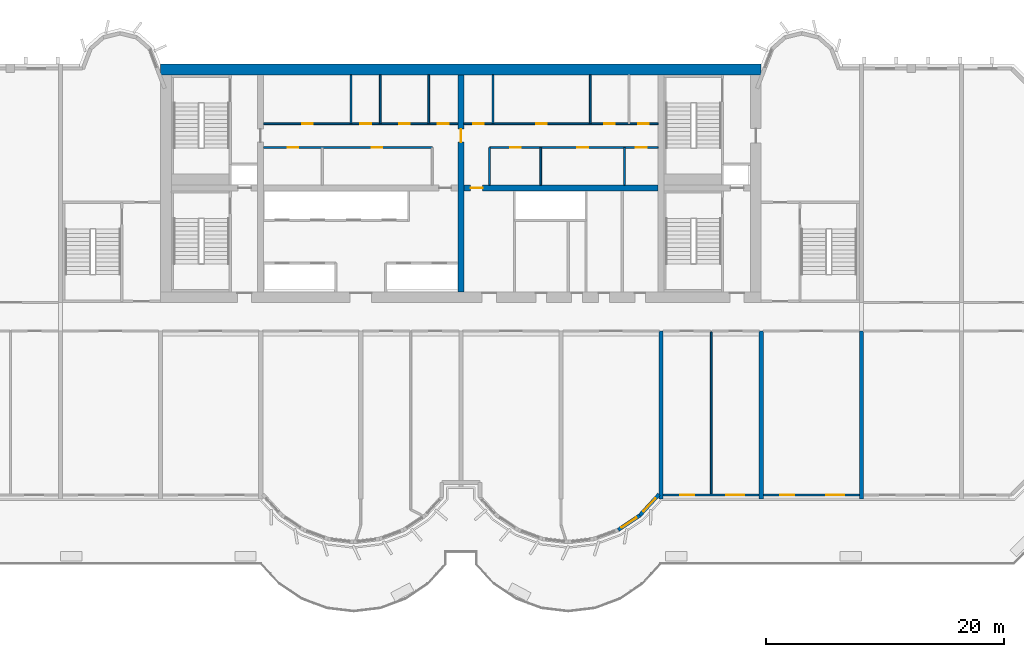
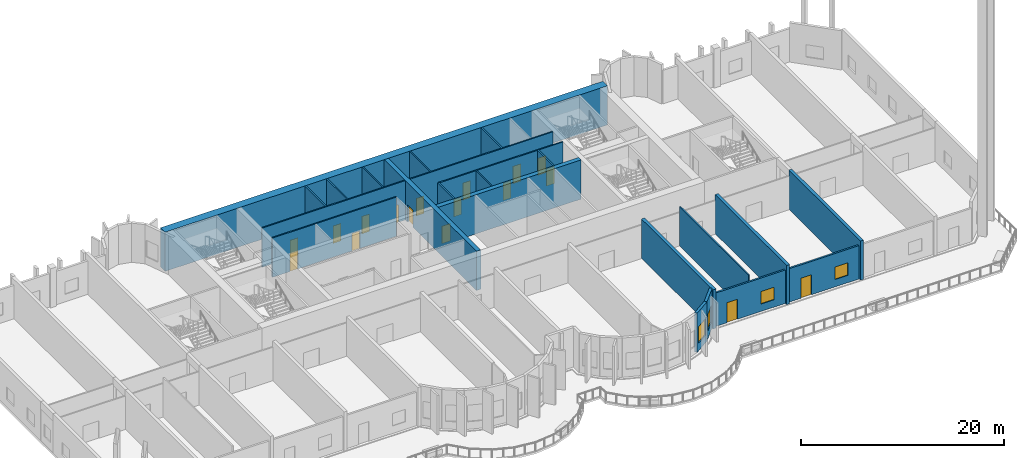
# One storey, part 6 of 13: 23 walls, 17 doors, 4 windows, 21 openings.
"""IFC4 building model written with IfcOpenShell, lengths in metres."""

from ifc_helpers import new_model, si_unit, direction, frame, frame_2d, origin, place, context, subcontext, project, spatial, rectangle, extrude, source, transform, mapped, material, layer, layer_set, type_object, element, fill, save


model = new_model("IFC4")

# Units and contexts
model_context = context("Model", 3, precision=1e-05, world=origin(), true_north=direction((0.0, 1.0)))
body_context = subcontext(model_context, "Body", "Model", "MODEL_VIEW")
ifc_project = project(units=[si_unit("LENGTHUNIT", "METRE"), si_unit("AREAUNIT", "SQUARE_METRE"), si_unit("VOLUMEUNIT", "CUBIC_METRE"), si_unit("PLANEANGLEUNIT", "RADIAN"), si_unit("MASSUNIT", "GRAM", prefix="KILO")], contexts=[model_context])

# Site, building, storey
site_placement = place(None, origin())
site = spatial("IfcSite", under=ifc_project, at=site_placement, CompositionType="ELEMENT")
building_placement = place(site_placement, origin())
building = spatial("IfcBuilding", under=site, at=building_placement, Name="Vanashikhar Sky Hotel", CompositionType="ELEMENT")
storey_placement = place(building_placement, frame((0.0, 0.0, 86.39990234375)))
storey = spatial("IfcBuildingStorey", under=building, at=storey_placement, Name="L20", CompositionType="ELEMENT", Elevation=86.39990234375)

# Wall
ifc_material_1 = material(Name="Concrete M70", Category="concrete")
ifc_layer_1 = layer(ifc_material_1, 0.89990234375)
ifc_layer_set_1 = layer_set([ifc_layer_1], Name="RC core shell wall 900 Concrete M70")
wall_type_1 = type_object("IfcWallType", Name="RC core shell wall 900 Concrete M70", PredefinedType="SHEAR", material=ifc_layer_set_1)
shared_shape_1 = source(origin(), body_context, "Body", "SweptSolid", [
    extrude(rectangle(XDim=50.400146484375, YDim=0.89990234375, at=frame_2d((25.2001953125, 0.0))), origin(), (0.0, 0.0, 1.0), 4.72021484375),
])
wall_1_placement = place(storey_placement, frame((25.199951171875, 41.550048828125, 0.0), z_axis=(0.0, 0.0, 1.0), x_axis=(1.0, 0.0, 0.0)))
element("IfcWall", 1, at=wall_1_placement, inside=storey, type_object=wall_type_1, Name="KW-L20-KN", PredefinedType="SHEAR", context=body_context, shape_type="MappedRepresentation", body=[
    mapped(shared_shape_1, transform((0.0, 0.0, 0.0), scale=1.0)),
])

# Wall, opening, door
ifc_layer_2 = layer(ifc_material_1, 0.5)
ifc_layer_set_2 = layer_set([ifc_layer_2], Name="RC core inner wall 500 Concrete M70")
wall_type_2 = type_object("IfcWallType", Name="RC core inner wall 500 Concrete M70", PredefinedType="SHEAR", material=ifc_layer_set_2)
shared_shape_2 = source(origin(), body_context, "Body", "SweptSolid", [
    extrude(rectangle(XDim=18.2001953125, YDim=0.5, at=frame_2d((9.10009765625, 0.0))), origin(), (0.0, 0.0, 1.0), 4.72021484375),
])
wall_2_placement = place(storey_placement, frame((50.39990234375, 22.89990234375, 0.0), z_axis=(0.0, 0.0, 1.0), x_axis=(0.0, 1.0, 0.0)))
wall_2 = element("IfcWall", 2, at=wall_2_placement, inside=storey, type_object=wall_type_2, Name="KW-L20-KX2", PredefinedType="SHEAR", context=body_context, shape_type="MappedRepresentation", body=[
    mapped(shared_shape_2, transform((0.0, 0.0, 0.0), scale=1.0)),
])
shared_shape_3 = source(origin(), body_context, "Body", "SweptSolid", [
    extrude(rectangle(XDim=1.10009765625, YDim=2.10009765625, at=frame_2d((0.550048828125, 1.050048828125))), frame((0.0, 0.260009765625, 0.0), z_axis=(0.0, -1.0, 0.0), x_axis=(1.0, 0.0, 0.0)), (0.0, 0.0, 1.0), 0.52001953125),
])
opening_1_placement = place(wall_2_placement, frame((12.550048828125, 0.0, 0.0)))
opening_1 = element("IfcOpeningElement", 3, at=opening_1_placement, cuts=wall_2, Name="Opening DC-4-C", PredefinedType="OPENING", context=body_context, shape_type="MappedRepresentation", body=[
    mapped(shared_shape_3, transform((0.0, 0.0, 0.0), scale=1.0)),
])
ifc_material_2 = material(Name="Steel", Category="steel")
door_type_1 = type_object("IfcDoorType", Name="Service door 1100 FD60", OperationType="NOTDEFINED", PredefinedType="DOOR", material=ifc_material_2)
shared_shape_4 = source(origin(), body_context, "Body", "SweptSolid", [
    extrude(rectangle(XDim=1.10009765625, YDim=2.10009765625, at=frame_2d((0.550048828125, 1.050048828125))), frame((0.0, 0.02490234375, 0.0), z_axis=(0.0, -1.0, 0.0), x_axis=(1.0, 0.0, 0.0)), (0.0, 0.0, 1.0), 0.050048828125),
])
door_1_placement = place(opening_1_placement, origin())
door_1 = element("IfcDoor", 4, at=door_1_placement, inside=storey, type_object=door_type_1, Name="Service door 1100 FD60", OperationType="SINGLE_SWING_RIGHT", OverallHeight=2.10009765625, OverallWidth=1.10009765625, PredefinedType="DOOR", context=body_context, shape_type="MappedRepresentation", body=[
    mapped(shared_shape_4, transform((0.0, 0.0, 0.0), scale=1.0)),
])
fill(opening_1, door_1)

shared_shape_5 = source(origin(), body_context, "Body", "SweptSolid", [
    extrude(rectangle(XDim=16.300048828125, YDim=0.5, at=frame_2d((8.14990234375, 0.0))), origin(), (0.0, 0.0, 1.0), 4.72021484375),
])
wall_3_placement = place(storey_placement, frame((50.64990234375, 31.60009765625, 0.0), z_axis=(0.0, 0.0, 1.0), x_axis=(1.0, 0.0, 0.0)))
wall_3 = element("IfcWall", 5, at=wall_3_placement, inside=storey, type_object=wall_type_2, Name="KW-L20-KY3", PredefinedType="SHEAR", context=body_context, shape_type="MappedRepresentation", body=[
    mapped(shared_shape_5, transform((0.0, 0.0, 0.0), scale=1.0)),
])
shared_shape_6 = source(origin(), body_context, "Body", "SweptSolid", [
    extrude(rectangle(XDim=1.0, YDim=2.10009765625, at=frame_2d((0.5, 1.050048828125))), frame((0.0, 0.260009765625, 0.0), z_axis=(0.0, -1.0, 0.0), x_axis=(1.0, 0.0, 0.0)), (0.0, 0.0, 1.0), 0.52001953125),
])
opening_2_placement = place(wall_3_placement, frame((0.574951171875, 0.0, 0.0)))
opening_2 = element("IfcOpeningElement", 6, at=opening_2_placement, cuts=wall_3, Name="Opening DC-4", PredefinedType="OPENING", context=body_context, shape_type="MappedRepresentation", body=[
    mapped(shared_shape_6, transform((0.0, 0.0, 0.0), scale=1.0)),
])
door_type_2 = type_object("IfcDoorType", Name="Service door 1000 FD60", OperationType="NOTDEFINED", PredefinedType="DOOR", material=ifc_material_2)
shared_shape_7 = source(origin(), body_context, "Body", "SweptSolid", [
    extrude(rectangle(XDim=1.0, YDim=2.10009765625, at=frame_2d((0.5, 1.050048828125))), frame((0.0, 0.02490234375, 0.0), z_axis=(0.0, -1.0, 0.0), x_axis=(1.0, 0.0, 0.0)), (0.0, 0.0, 1.0), 0.050048828125),
])
door_2_placement = place(opening_2_placement, origin())
door_2 = element("IfcDoor", 7, at=door_2_placement, inside=storey, type_object=door_type_2, Name="Service door 1000 FD60", OperationType="SINGLE_SWING_LEFT", OverallHeight=2.10009765625, OverallWidth=1.0, PredefinedType="DOOR", context=body_context, shape_type="MappedRepresentation", body=[
    mapped(shared_shape_7, transform((0.0, 0.0, 0.0), scale=1.0)),
])
fill(opening_2, door_2)

# Walls
ifc_layer_3 = layer(ifc_material_1, 0.35009765625)
ifc_layer_set_3 = layer_set([ifc_layer_3], Name="RC shear wall 350 Concrete M70")
wall_type_3 = type_object("IfcWallType", Name="RC shear wall 350 Concrete M70", PredefinedType="SHEAR", material=ifc_layer_set_3)
shared_shape_8 = source(origin(), body_context, "Body", "SweptSolid", [
    extrude(rectangle(XDim=14.10009765625, YDim=0.35009765625, at=frame_2d((7.050048828125, 0.0))), origin(), (0.0, 0.0, 1.0), 4.72021484375),
])
for number, where, z_axis, x_axis, name in (
    (8, (67.199951171875, 5.5, 0.0), (0.0, 0.0, 1.0), (0.0, 1.0, 0.0), "CW-L20-XW09-1"),
    (9, (75.60009765625, 5.5, 0.0), (0.0, 0.0, 1.0), (0.0, 1.0, 0.0), "CW-L20-XW10-1"),
    (10, (84.0, 5.5, 0.0), (0.0, 0.0, 1.0), (0.0, 1.0, 0.0), "CW-L20-XW11-1"),
):
    element("IfcWall", number, at=place(storey_placement, frame(where, z_axis=z_axis, x_axis=x_axis)), inside=storey, type_object=wall_type_3, Name=name, PredefinedType="SHEAR", context=body_context, shape_type="MappedRepresentation", body=[
        mapped(shared_shape_8, transform((0.0, 0.0, 0.0), scale=1.0)),
    ])

# Wall, openings, window, door
ifc_material_3 = material(Name="Concrete M50", Category="concrete")
ifc_layer_4 = layer(ifc_material_3, 0.199951171875)
ifc_layer_set_4 = layer_set([ifc_layer_4], Name="Front window wall 200")
wall_type_4 = type_object("IfcWallType", Name="Front window wall 200", PredefinedType="SOLIDWALL", material=ifc_layer_set_4)
shared_shape_9 = source(origin(), body_context, "Body", "SweptSolid", [
    extrude(rectangle(XDim=8.050048828125, YDim=0.199951171875, at=frame_2d((4.02490234375, 0.0))), origin(), (0.0, 0.0, 1.0), 4.02001953125),
])
wall_4_placement = place(storey_placement, frame((67.375, 5.85009765625, 0.0), z_axis=(0.0, 0.0, 1.0), x_axis=(1.0, 0.0, 0.0)))
wall_4 = element("IfcWall", 11, at=wall_4_placement, inside=storey, type_object=wall_type_4, Name="Front window wall", PredefinedType="SOLIDWALL", context=body_context, shape_type="MappedRepresentation", body=[
    mapped(shared_shape_9, transform((0.0, 0.0, 0.0), scale=1.0)),
])
shared_shape_10 = source(origin(), body_context, "Body", "SweptSolid", [
    extrude(rectangle(XDim=1.5, YDim=1.5, at=frame_2d((0.75, 0.75))), frame((0.0, 0.10986328125, 0.0), z_axis=(0.0, -1.0, 0.0), x_axis=(1.0, 0.0, 0.0)), (0.0, 0.0, 1.0), 0.219970703125),
])
opening_3_placement = place(wall_4_placement, frame((5.28759765625, 0.0, 0.89990234375)))
opening_3 = element("IfcOpeningElement", 12, at=opening_3_placement, cuts=wall_4, Name="Opening WN-1", PredefinedType="OPENING", context=body_context, shape_type="MappedRepresentation", body=[
    mapped(shared_shape_10, transform((0.0, 0.0, 0.0), scale=1.0)),
])
shared_shape_11 = source(origin(), body_context, "Body", "SweptSolid", [
    extrude(rectangle(XDim=1.199951171875, YDim=2.39990234375, at=frame_2d((0.60009765625, 1.199951171875))), frame((0.0, 0.10986328125, 0.0), z_axis=(0.0, -1.0, 0.0), x_axis=(1.0, 0.0, 0.0)), (0.0, 0.0, 1.0), 0.219970703125),
])
opening_4_placement = place(wall_4_placement, frame((1.41259765625, 0.0, 0.0)))
opening_4 = element("IfcOpeningElement", 13, at=opening_4_placement, cuts=wall_4, Name="Opening BD-05", PredefinedType="OPENING", context=body_context, shape_type="MappedRepresentation", body=[
    mapped(shared_shape_11, transform((0.0, 0.0, 0.0), scale=1.0)),
])
ifc_material_4 = material(Name="Glass", Category="glass")
window_type_1 = type_object("IfcWindowType", Name="Window 1500 x 1500", PartitioningType="SINGLE_PANEL", PredefinedType="WINDOW", material=ifc_material_4)
shared_shape_12 = source(origin(), body_context, "Body", "SweptSolid", [
    extrude(rectangle(XDim=1.5, YDim=1.5, at=frame_2d((0.75, 0.75))), frame((0.0, 0.030029296875, 0.0), z_axis=(0.0, -1.0, 0.0), x_axis=(1.0, 0.0, 0.0)), (0.0, 0.0, 1.0), 0.06005859375),
])
window_1_placement = place(opening_3_placement, origin())
window_1 = element("IfcWindow", 14, at=window_1_placement, inside=storey, type_object=window_type_1, Name="Window WN-1", OverallHeight=1.5, OverallWidth=1.5, PartitioningType="SINGLE_PANEL", PredefinedType="WINDOW", context=body_context, shape_type="MappedRepresentation", body=[
    mapped(shared_shape_12, transform((0.0, 0.0, 0.0), scale=1.0)),
])
fill(opening_3, window_1)
ifc_material_5 = material(Name="Aluminium", Category="aluminium")
door_type_3 = type_object("IfcDoorType", Name="Balcony sliding door 1200 x 2400", OperationType="NOTDEFINED", PredefinedType="DOOR", material=ifc_material_5)
shared_shape_13 = source(origin(), body_context, "Body", "SweptSolid", [
    extrude(rectangle(XDim=1.199951171875, YDim=2.39990234375, at=frame_2d((0.60009765625, 1.199951171875))), frame((0.0, 0.02490234375, 0.0), z_axis=(0.0, -1.0, 0.0), x_axis=(1.0, 0.0, 0.0)), (0.0, 0.0, 1.0), 0.050048828125),
])
door_3_placement = place(opening_4_placement, origin())
door_3 = element("IfcDoor", 15, at=door_3_placement, inside=storey, type_object=door_type_3, Name="Balcony sliding door", OperationType="SLIDING_TO_LEFT", OverallHeight=2.39990234375, OverallWidth=1.199951171875, PredefinedType="DOOR", context=body_context, shape_type="MappedRepresentation", body=[
    mapped(shared_shape_13, transform((0.0, 0.0, 0.0), scale=1.0)),
])
fill(opening_4, door_3)

wall_5_placement = place(storey_placement, frame((75.77490234375, 5.85009765625, 0.0), z_axis=(0.0, 0.0, 1.0), x_axis=(1.0, 0.0, 0.0)))
wall_5 = element("IfcWall", 16, at=wall_5_placement, inside=storey, type_object=wall_type_4, Name="Front window wall", PredefinedType="SOLIDWALL", context=body_context, shape_type="MappedRepresentation", body=[
    mapped(shared_shape_9, transform((0.0, 0.0, 0.0), scale=1.0)),
])
opening_5_placement = place(wall_5_placement, frame((5.28759765625, 0.0, 0.89990234375)))
opening_5 = element("IfcOpeningElement", 17, at=opening_5_placement, cuts=wall_5, Name="Opening WN-1", PredefinedType="OPENING", context=body_context, shape_type="MappedRepresentation", body=[
    mapped(shared_shape_10, transform((0.0, 0.0, 0.0), scale=1.0)),
])
opening_6_placement = place(wall_5_placement, frame((1.41259765625, 0.0, 0.0)))
opening_6 = element("IfcOpeningElement", 18, at=opening_6_placement, cuts=wall_5, Name="Opening BD-06", PredefinedType="OPENING", context=body_context, shape_type="MappedRepresentation", body=[
    mapped(shared_shape_11, transform((0.0, 0.0, 0.0), scale=1.0)),
])
window_2_placement = place(opening_5_placement, origin())
window_2 = element("IfcWindow", 19, at=window_2_placement, inside=storey, type_object=window_type_1, Name="Window WN-1", OverallHeight=1.5, OverallWidth=1.5, PartitioningType="SINGLE_PANEL", PredefinedType="WINDOW", context=body_context, shape_type="MappedRepresentation", body=[
    mapped(shared_shape_12, transform((0.0, 0.0, 0.0), scale=1.0)),
])
fill(opening_5, window_2)
door_4_placement = place(opening_6_placement, origin())
door_4 = element("IfcDoor", 20, at=door_4_placement, inside=storey, type_object=door_type_3, Name="Balcony sliding door", OperationType="SLIDING_TO_RIGHT", OverallHeight=2.39990234375, OverallWidth=1.199951171875, PredefinedType="DOOR", context=body_context, shape_type="MappedRepresentation", body=[
    mapped(shared_shape_13, transform((0.0, 0.0, 0.0), scale=1.0)),
])
fill(opening_6, door_4)

# Wall, opening, window
ifc_layer_5 = layer(ifc_material_3, 0.300048828125)
ifc_layer_set_5 = layer_set([ifc_layer_5], Name="Lobe wall 300")
wall_type_5 = type_object("IfcWallType", Name="Lobe wall 300", PredefinedType="SOLIDWALL", material=ifc_layer_set_5)
shared_shape_14 = source(origin(), body_context, "Body", "SweptSolid", [
    extrude(rectangle(XDim=2.398193359375, YDim=0.300048828125, at=frame_2d((1.19921875, 0.0))), origin(), (0.0, 0.0, 1.0), 4.72021484375),
])
wall_6_placement = place(storey_placement, frame((65.404296875, 4.13134765625, 0.0), z_axis=(0.0, 0.0, 1.0), x_axis=(0.675374189419, 0.737475222815, 0.0)))
wall_6 = element("IfcWall", 21, at=wall_6_placement, inside=storey, type_object=wall_type_5, Name="Lobe wall", PredefinedType="SOLIDWALL", context=body_context, shape_type="MappedRepresentation", body=[
    mapped(shared_shape_14, transform((0.0, 0.0, 0.0), scale=1.0)),
])
shared_shape_15 = source(origin(), body_context, "Body", "SweptSolid", [
    extrude(rectangle(XDim=1.5, YDim=2.0, at=frame_2d((0.75, 1.0))), frame((0.0, 0.16015625, 0.0), z_axis=(0.0, -1.0, 0.0), x_axis=(1.0, 0.0, 0.0)), (0.0, 0.0, 1.0), 0.320068359375),
])
opening_7_placement = place(wall_6_placement, frame((0.44921875, 0.0, 0.89990234375)))
opening_7 = element("IfcOpeningElement", 22, at=opening_7_placement, cuts=wall_6, Name="Opening WN-2", PredefinedType="OPENING", context=body_context, shape_type="MappedRepresentation", body=[
    mapped(shared_shape_15, transform((0.0, 0.0, 0.0), scale=1.0)),
])
window_type_2 = type_object("IfcWindowType", Name="Lobe window 1500 x 2000", PartitioningType="SINGLE_PANEL", PredefinedType="WINDOW", material=ifc_material_4)
shared_shape_16 = source(origin(), body_context, "Body", "SweptSolid", [
    extrude(rectangle(XDim=1.5, YDim=2.0, at=frame_2d((0.75, 1.0))), frame((0.0, 0.030029296875, 0.0), z_axis=(0.0, -1.0, 0.0), x_axis=(1.0, 0.0, 0.0)), (0.0, 0.0, 1.0), 0.06005859375),
])
window_3_placement = place(opening_7_placement, origin())
window_3 = element("IfcWindow", 23, at=window_3_placement, inside=storey, type_object=window_type_2, Name="Window WN-2", OverallHeight=2.0, OverallWidth=1.5, PartitioningType="SINGLE_PANEL", PredefinedType="WINDOW", context=body_context, shape_type="MappedRepresentation", body=[
    mapped(shared_shape_16, transform((0.0, 0.0, 0.0), scale=1.0)),
])
fill(opening_7, window_3)

shared_shape_17 = source(origin(), body_context, "Body", "SweptSolid", [
    extrude(rectangle(XDim=2.17578125, YDim=0.300048828125, at=frame_2d((1.087890625, 0.0))), origin(), (0.0, 0.0, 1.0), 4.72021484375),
])
wall_7_placement = place(storey_placement, frame((63.59912109375, 2.91650390625, 0.0), z_axis=(0.0, 0.0, 1.0), x_axis=(0.829625727223, 0.558319937607, 0.0)))
wall_7 = element("IfcWall", 24, at=wall_7_placement, inside=storey, type_object=wall_type_5, Name="Lobe wall", PredefinedType="SOLIDWALL", context=body_context, shape_type="MappedRepresentation", body=[
    mapped(shared_shape_17, transform((0.0, 0.0, 0.0), scale=1.0)),
])
opening_8_placement = place(wall_7_placement, frame((0.337890625, 0.0, 0.89990234375)))
opening_8 = element("IfcOpeningElement", 25, at=opening_8_placement, cuts=wall_7, Name="Opening WN-2", PredefinedType="OPENING", context=body_context, shape_type="MappedRepresentation", body=[
    mapped(shared_shape_15, transform((0.0, 0.0, 0.0), scale=1.0)),
])
window_4_placement = place(opening_8_placement, origin())
window_4 = element("IfcWindow", 26, at=window_4_placement, inside=storey, type_object=window_type_2, Name="Window WN-2", OverallHeight=2.0, OverallWidth=1.5, PartitioningType="SINGLE_PANEL", PredefinedType="WINDOW", context=body_context, shape_type="MappedRepresentation", body=[
    mapped(shared_shape_16, transform((0.0, 0.0, 0.0), scale=1.0)),
])
fill(opening_8, window_4)

# Walls
ifc_material_6 = material(Name="Gypsum board partition")
ifc_layer_6 = layer(ifc_material_6, 0.14990234375)
ifc_layer_set_6 = layer_set([ifc_layer_6], Name="Service partition 150")
wall_type_6 = type_object("IfcWallType", Name="Service partition 150", PredefinedType="PARTITIONING", material=ifc_layer_set_6)
shared_shape_18 = source(origin(), body_context, "Body", "SweptSolid", [
    extrude(rectangle(XDim=3.14990234375, YDim=0.14990234375, at=frame_2d((1.574951171875, 0.0))), origin(), (0.0, 0.0, 1.0), 4.72021484375),
])
for number, where, z_axis, x_axis, name in (
    (27, (52.800048828125, 31.85009765625, 0.0), (0.0, 0.0, 1.0), (0.0, 1.0, 0.0), "Service partition 150"),
    (28, (64.135009765625, 31.85009765625, 0.0), (0.0, 0.0, 1.0), (0.0, 1.0, 0.0), "Service partition 150"),
    (29, (57.096923828125, 31.85009765625, 0.0), (0.0, 0.0, 1.0), (0.0, 1.0, 0.0), "Service partition 150"),
):
    element("IfcWall", number, at=place(storey_placement, frame(where, z_axis=z_axis, x_axis=x_axis)), inside=storey, type_object=wall_type_6, Name=name, PredefinedType="PARTITIONING", context=body_context, shape_type="MappedRepresentation", body=[
        mapped(shared_shape_18, transform((0.0, 0.0, 0.0), scale=1.0)),
    ])

# Wall, openings, doors
shared_shape_19 = source(origin(), body_context, "Body", "SweptSolid", [
    extrude(rectangle(XDim=14.14990234375, YDim=0.14990234375, at=frame_2d((7.074951171875, 0.0))), origin(), (0.0, 0.0, 1.0), 4.72021484375),
])
wall_8_placement = place(storey_placement, frame((33.85009765625, 35.0, 0.0), z_axis=(0.0, 0.0, 1.0), x_axis=(1.0, 0.0, 0.0)))
wall_8 = element("IfcWall", 30, at=wall_8_placement, inside=storey, type_object=wall_type_6, Name="Service partition 150", PredefinedType="PARTITIONING", context=body_context, shape_type="MappedRepresentation", body=[
    mapped(shared_shape_19, transform((0.0, 0.0, 0.0), scale=1.0)),
])
shared_shape_20 = source(origin(), body_context, "Body", "SweptSolid", [
    extrude(rectangle(XDim=0.89990234375, YDim=2.10009765625, at=frame_2d((0.449951171875, 1.050048828125))), frame((0.0, 0.0849609375, 0.0), z_axis=(0.0, -1.0, 0.0), x_axis=(1.0, 0.0, 0.0)), (0.0, 0.0, 1.0), 0.169921875),
])
opening_9_placement = place(wall_8_placement, frame((2.012939453125, 0.0, 0.0)))
opening_9 = element("IfcOpeningElement", 31, at=opening_9_placement, cuts=wall_8, Name="Opening DC-4-A", PredefinedType="OPENING", context=body_context, shape_type="MappedRepresentation", body=[
    mapped(shared_shape_20, transform((0.0, 0.0, 0.0), scale=1.0)),
])
opening_10_placement = place(wall_8_placement, frame((9.051025390625, 0.0, 0.0)))
opening_10 = element("IfcOpeningElement", 32, at=opening_10_placement, cuts=wall_8, Name="Opening DC-4-A", PredefinedType="OPENING", context=body_context, shape_type="MappedRepresentation", body=[
    mapped(shared_shape_20, transform((0.0, 0.0, 0.0), scale=1.0)),
])
door_type_4 = type_object("IfcDoorType", Name="Service door 900 FD60", OperationType="NOTDEFINED", PredefinedType="DOOR", material=ifc_material_2)
shared_shape_21 = source(origin(), body_context, "Body", "SweptSolid", [
    extrude(rectangle(XDim=0.89990234375, YDim=2.10009765625, at=frame_2d((0.449951171875, 1.050048828125))), frame((0.0, 0.02490234375, 0.0), z_axis=(0.0, -1.0, 0.0), x_axis=(1.0, 0.0, 0.0)), (0.0, 0.0, 1.0), 0.050048828125),
])
door_5_placement = place(opening_9_placement, origin())
door_5 = element("IfcDoor", 33, at=door_5_placement, inside=storey, type_object=door_type_4, Name="Service door 900 FD60", OperationType="SINGLE_SWING_RIGHT", OverallHeight=2.10009765625, OverallWidth=0.89990234375, PredefinedType="DOOR", context=body_context, shape_type="MappedRepresentation", body=[
    mapped(shared_shape_21, transform((0.0, 0.0, 0.0), scale=1.0)),
])
fill(opening_9, door_5)
door_6_placement = place(opening_10_placement, origin())
door_6 = element("IfcDoor", 34, at=door_6_placement, inside=storey, type_object=door_type_4, Name="Service door 900 FD60", OperationType="SINGLE_SWING_RIGHT", OverallHeight=2.10009765625, OverallWidth=0.89990234375, PredefinedType="DOOR", context=body_context, shape_type="MappedRepresentation", body=[
    mapped(shared_shape_21, transform((0.0, 0.0, 0.0), scale=1.0)),
])
fill(opening_10, door_6)

wall_9_placement = place(storey_placement, frame((66.949951171875, 35.0, 0.0), z_axis=(0.0, 0.0, 1.0), x_axis=(-1.0, 0.0, 0.0)))
wall_9 = element("IfcWall", 35, at=wall_9_placement, inside=storey, type_object=wall_type_6, Name="Service partition 150", PredefinedType="PARTITIONING", context=body_context, shape_type="MappedRepresentation", body=[
    mapped(shared_shape_19, transform((0.0, 0.0, 0.0), scale=1.0)),
])
opening_11_placement = place(wall_9_placement, frame((0.9580078125, 0.0, 0.0)))
opening_11 = element("IfcOpeningElement", 36, at=opening_11_placement, cuts=wall_9, Name="Opening DC-4-A", PredefinedType="OPENING", context=body_context, shape_type="MappedRepresentation", body=[
    mapped(shared_shape_20, transform((0.0, 0.0, 0.0), scale=1.0)),
])
opening_12_placement = place(wall_9_placement, frame((5.884033203125, 0.0, 0.0)))
opening_12 = element("IfcOpeningElement", 37, at=opening_12_placement, cuts=wall_9, Name="Opening DC-4-A", PredefinedType="OPENING", context=body_context, shape_type="MappedRepresentation", body=[
    mapped(shared_shape_20, transform((0.0, 0.0, 0.0), scale=1.0)),
])
opening_13_placement = place(wall_9_placement, frame((11.513916015625, 0.0, 0.0)))
opening_13 = element("IfcOpeningElement", 38, at=opening_13_placement, cuts=wall_9, Name="Opening DC-4-A", PredefinedType="OPENING", context=body_context, shape_type="MappedRepresentation", body=[
    mapped(shared_shape_20, transform((0.0, 0.0, 0.0), scale=1.0)),
])
door_7_placement = place(opening_11_placement, origin())
door_7 = element("IfcDoor", 39, at=door_7_placement, inside=storey, type_object=door_type_4, Name="Service door 900 FD60", OperationType="SINGLE_SWING_RIGHT", OverallHeight=2.10009765625, OverallWidth=0.89990234375, PredefinedType="DOOR", context=body_context, shape_type="MappedRepresentation", body=[
    mapped(shared_shape_21, transform((0.0, 0.0, 0.0), scale=1.0)),
])
fill(opening_11, door_7)
door_8_placement = place(opening_12_placement, origin())
door_8 = element("IfcDoor", 40, at=door_8_placement, inside=storey, type_object=door_type_4, Name="Service door 900 FD60", OperationType="SINGLE_SWING_RIGHT", OverallHeight=2.10009765625, OverallWidth=0.89990234375, PredefinedType="DOOR", context=body_context, shape_type="MappedRepresentation", body=[
    mapped(shared_shape_21, transform((0.0, 0.0, 0.0), scale=1.0)),
])
fill(opening_12, door_8)
door_9_placement = place(opening_13_placement, origin())
door_9 = element("IfcDoor", 41, at=door_9_placement, inside=storey, type_object=door_type_4, Name="Service door 900 FD60", OperationType="SINGLE_SWING_LEFT", OverallHeight=2.10009765625, OverallWidth=0.89990234375, PredefinedType="DOOR", context=body_context, shape_type="MappedRepresentation", body=[
    mapped(shared_shape_21, transform((0.0, 0.0, 0.0), scale=1.0)),
])
fill(opening_13, door_9)

shared_shape_22 = source(origin(), body_context, "Body", "SweptSolid", [
    extrude(rectangle(XDim=16.2998046875, YDim=0.14990234375, at=frame_2d((8.14990234375, 0.0))), origin(), (0.0, 0.0, 1.0), 4.72021484375),
])
wall_10_placement = place(storey_placement, frame((33.85009765625, 37.0, 0.0), z_axis=(0.0, 0.0, 1.0), x_axis=(1.0, 0.0, 0.0)))
wall_10 = element("IfcWall", 42, at=wall_10_placement, inside=storey, type_object=wall_type_6, Name="Service partition 150", PredefinedType="PARTITIONING", context=body_context, shape_type="MappedRepresentation", body=[
    mapped(shared_shape_22, transform((0.0, 0.0, 0.0), scale=1.0)),
])
opening_14_placement = place(wall_10_placement, frame((3.217041015625, 0.0, 0.0)))
opening_14 = element("IfcOpeningElement", 43, at=opening_14_placement, cuts=wall_10, Name="Opening DC-4-A", PredefinedType="OPENING", context=body_context, shape_type="MappedRepresentation", body=[
    mapped(shared_shape_20, transform((0.0, 0.0, 0.0), scale=1.0)),
])
opening_15_placement = place(wall_10_placement, frame((8.10693359375, 0.0, 0.0)))
opening_15 = element("IfcOpeningElement", 44, at=opening_15_placement, cuts=wall_10, Name="Opening DC-4-A", PredefinedType="OPENING", context=body_context, shape_type="MappedRepresentation", body=[
    mapped(shared_shape_20, transform((0.0, 0.0, 0.0), scale=1.0)),
])
opening_16_placement = place(wall_10_placement, frame((11.367919921875, 0.0, 0.0)))
opening_16 = element("IfcOpeningElement", 45, at=opening_16_placement, cuts=wall_10, Name="Opening DC-4-A", PredefinedType="OPENING", context=body_context, shape_type="MappedRepresentation", body=[
    mapped(shared_shape_20, transform((0.0, 0.0, 0.0), scale=1.0)),
])
opening_17_placement = place(wall_10_placement, frame((14.626953125, 0.0, 0.0)))
opening_17 = element("IfcOpeningElement", 46, at=opening_17_placement, cuts=wall_10, Name="Opening DC-4-A", PredefinedType="OPENING", context=body_context, shape_type="MappedRepresentation", body=[
    mapped(shared_shape_20, transform((0.0, 0.0, 0.0), scale=1.0)),
])
door_10_placement = place(opening_14_placement, origin())
door_10 = element("IfcDoor", 47, at=door_10_placement, inside=storey, type_object=door_type_4, Name="Service door 900 FD60", OperationType="SINGLE_SWING_RIGHT", OverallHeight=2.10009765625, OverallWidth=0.89990234375, PredefinedType="DOOR", context=body_context, shape_type="MappedRepresentation", body=[
    mapped(shared_shape_21, transform((0.0, 0.0, 0.0), scale=1.0)),
])
fill(opening_14, door_10)
door_11_placement = place(opening_15_placement, origin())
door_11 = element("IfcDoor", 48, at=door_11_placement, inside=storey, type_object=door_type_4, Name="Service door 900 FD60", OperationType="SINGLE_SWING_RIGHT", OverallHeight=2.10009765625, OverallWidth=0.89990234375, PredefinedType="DOOR", context=body_context, shape_type="MappedRepresentation", body=[
    mapped(shared_shape_21, transform((0.0, 0.0, 0.0), scale=1.0)),
])
fill(opening_15, door_11)
door_12_placement = place(opening_16_placement, origin())
door_12 = element("IfcDoor", 49, at=door_12_placement, inside=storey, type_object=door_type_4, Name="Service door 900 FD60", OperationType="SINGLE_SWING_RIGHT", OverallHeight=2.10009765625, OverallWidth=0.89990234375, PredefinedType="DOOR", context=body_context, shape_type="MappedRepresentation", body=[
    mapped(shared_shape_21, transform((0.0, 0.0, 0.0), scale=1.0)),
])
fill(opening_16, door_12)
door_13_placement = place(opening_17_placement, origin())
door_13 = element("IfcDoor", 50, at=door_13_placement, inside=storey, type_object=door_type_4, Name="Service door 900 FD60", OperationType="SINGLE_SWING_LEFT", OverallHeight=2.10009765625, OverallWidth=0.89990234375, PredefinedType="DOOR", context=body_context, shape_type="MappedRepresentation", body=[
    mapped(shared_shape_21, transform((0.0, 0.0, 0.0), scale=1.0)),
])
fill(opening_17, door_13)

# Walls
shared_shape_23 = source(origin(), body_context, "Body", "SweptSolid", [
    extrude(rectangle(XDim=4.10009765625, YDim=0.14990234375, at=frame_2d((2.050048828125, 0.0))), origin(), (0.0, 0.0, 1.0), 4.72021484375),
])
for number, where, z_axis, x_axis, name in (
    (51, (41.18505859375, 37.0, 0.0), (0.0, 0.0, 1.0), (0.0, 1.0, 0.0), "Service partition 150"),
    (52, (43.6298828125, 37.0, 0.0), (0.0, 0.0, 1.0), (0.0, 1.0, 0.0), "Service partition 150"),
    (53, (47.705078125, 37.0, 0.0), (0.0, 0.0, 1.0), (0.0, 1.0, 0.0), "Service partition 150"),
    (54, (61.2451171875, 37.0, 0.0), (0.0, 0.0, 1.0), (0.0, 1.0, 0.0), "Service partition 150"),
    (55, (53.094970703125, 37.0, 0.0), (0.0, 0.0, 1.0), (0.0, 1.0, 0.0), "Service partition 150"),
):
    element("IfcWall", number, at=place(storey_placement, frame(where, z_axis=z_axis, x_axis=x_axis)), inside=storey, type_object=wall_type_6, Name=name, PredefinedType="PARTITIONING", context=body_context, shape_type="MappedRepresentation", body=[
        mapped(shared_shape_23, transform((0.0, 0.0, 0.0), scale=1.0)),
    ])

# Wall, openings, doors
shared_shape_24 = source(origin(), body_context, "Body", "SweptSolid", [
    extrude(rectangle(XDim=16.300048828125, YDim=0.14990234375, at=frame_2d((8.14990234375, 0.0))), origin(), (0.0, 0.0, 1.0), 4.72021484375),
])
wall_11_placement = place(storey_placement, frame((66.949951171875, 37.0, 0.0), z_axis=(0.0, 0.0, 1.0), x_axis=(-1.0, 0.0, 0.0)))
wall_11 = element("IfcWall", 56, at=wall_11_placement, inside=storey, type_object=wall_type_6, Name="Service partition 150", PredefinedType="PARTITIONING", context=body_context, shape_type="MappedRepresentation", body=[
    mapped(shared_shape_24, transform((0.0, 0.0, 0.0), scale=1.0)),
])
opening_18_placement = place(wall_11_placement, frame((0.77294921875, 0.0, 0.0)))
opening_18 = element("IfcOpeningElement", 57, at=opening_18_placement, cuts=wall_11, Name="Opening DC-4-A", PredefinedType="OPENING", context=body_context, shape_type="MappedRepresentation", body=[
    mapped(shared_shape_20, transform((0.0, 0.0, 0.0), scale=1.0)),
])
opening_19_placement = place(wall_11_placement, frame((3.625, 0.0, 0.0)))
opening_19 = element("IfcOpeningElement", 58, at=opening_19_placement, cuts=wall_11, Name="Opening DC-4-A", PredefinedType="OPENING", context=body_context, shape_type="MappedRepresentation", body=[
    mapped(shared_shape_20, transform((0.0, 0.0, 0.0), scale=1.0)),
])
opening_20_placement = place(wall_11_placement, frame((9.330078125, 0.0, 0.0)))
opening_20 = element("IfcOpeningElement", 59, at=opening_20_placement, cuts=wall_11, Name="Opening DC-4-A", PredefinedType="OPENING", context=body_context, shape_type="MappedRepresentation", body=[
    mapped(shared_shape_20, transform((0.0, 0.0, 0.0), scale=1.0)),
])
opening_21_placement = place(wall_11_placement, frame((14.626953125, 0.0, 0.0)))
opening_21 = element("IfcOpeningElement", 60, at=opening_21_placement, cuts=wall_11, Name="Opening DC-4-A", PredefinedType="OPENING", context=body_context, shape_type="MappedRepresentation", body=[
    mapped(shared_shape_20, transform((0.0, 0.0, 0.0), scale=1.0)),
])
door_14_placement = place(opening_18_placement, origin())
door_14 = element("IfcDoor", 61, at=door_14_placement, inside=storey, type_object=door_type_4, Name="Service door 900 FD60", OperationType="SINGLE_SWING_LEFT", OverallHeight=2.10009765625, OverallWidth=0.89990234375, PredefinedType="DOOR", context=body_context, shape_type="MappedRepresentation", body=[
    mapped(shared_shape_21, transform((0.0, 0.0, 0.0), scale=1.0)),
])
fill(opening_18, door_14)
door_15_placement = place(opening_19_placement, origin())
door_15 = element("IfcDoor", 62, at=door_15_placement, inside=storey, type_object=door_type_4, Name="Service door 900 FD60", OperationType="SINGLE_SWING_RIGHT", OverallHeight=2.10009765625, OverallWidth=0.89990234375, PredefinedType="DOOR", context=body_context, shape_type="MappedRepresentation", body=[
    mapped(shared_shape_21, transform((0.0, 0.0, 0.0), scale=1.0)),
])
fill(opening_19, door_15)
door_16_placement = place(opening_20_placement, origin())
door_16 = element("IfcDoor", 63, at=door_16_placement, inside=storey, type_object=door_type_4, Name="Service door 900 FD60", OperationType="SINGLE_SWING_RIGHT", OverallHeight=2.10009765625, OverallWidth=0.89990234375, PredefinedType="DOOR", context=body_context, shape_type="MappedRepresentation", body=[
    mapped(shared_shape_21, transform((0.0, 0.0, 0.0), scale=1.0)),
])
fill(opening_20, door_16)
door_17_placement = place(opening_21_placement, origin())
door_17 = element("IfcDoor", 64, at=door_17_placement, inside=storey, type_object=door_type_4, Name="Service door 900 FD60", OperationType="SINGLE_SWING_RIGHT", OverallHeight=2.10009765625, OverallWidth=0.89990234375, PredefinedType="DOOR", context=body_context, shape_type="MappedRepresentation", body=[
    mapped(shared_shape_21, transform((0.0, 0.0, 0.0), scale=1.0)),
])
fill(opening_21, door_17)

# Wall
ifc_material_7 = material(Name="Gypsum plasterboard partition")
ifc_layer_7 = layer(ifc_material_7, 0.14990234375)
ifc_layer_set_7 = layer_set([ifc_layer_7], Name="Corridor and demising partition 150")
wall_type_7 = type_object("IfcWallType", Name="Corridor and demising partition 150", PredefinedType="PARTITIONING", material=ifc_layer_set_7)
shared_shape_25 = source(origin(), body_context, "Body", "SweptSolid", [
    extrude(rectangle(XDim=13.574951171875, YDim=0.14990234375, at=frame_2d((6.78759765625, 0.0))), origin(), (0.0, 0.0, 1.0), 4.72021484375),
])
wall_12_placement = place(storey_placement, frame((71.39990234375, 5.949951171875, 0.0), z_axis=(0.0, 0.0, 1.0), x_axis=(0.0, 1.0, 0.0)))
element("IfcWall", 65, at=wall_12_placement, inside=storey, type_object=wall_type_7, Name="W-L20-PW015", PredefinedType="PARTITIONING", context=body_context, shape_type="MappedRepresentation", body=[
    mapped(shared_shape_25, transform((0.0, 0.0, 0.0), scale=1.0)),
])

save(model, "model.ifc")
